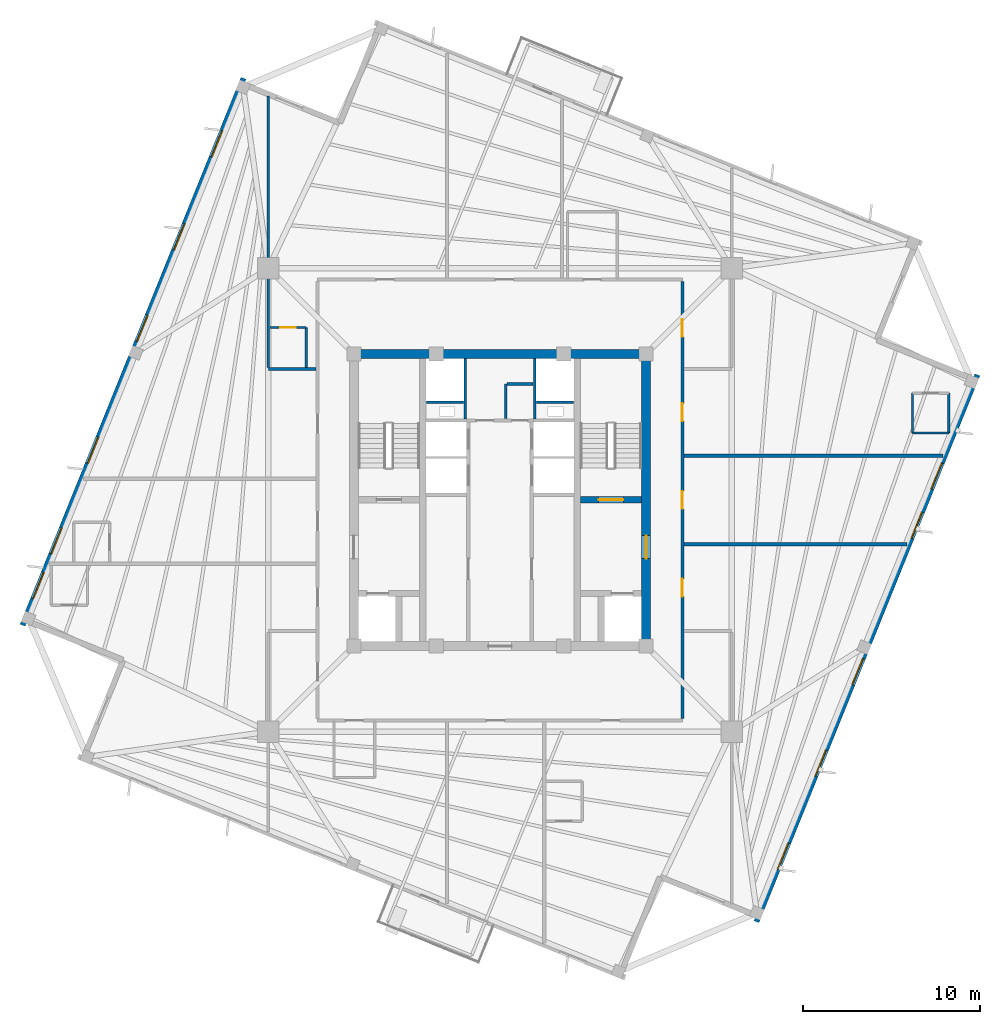
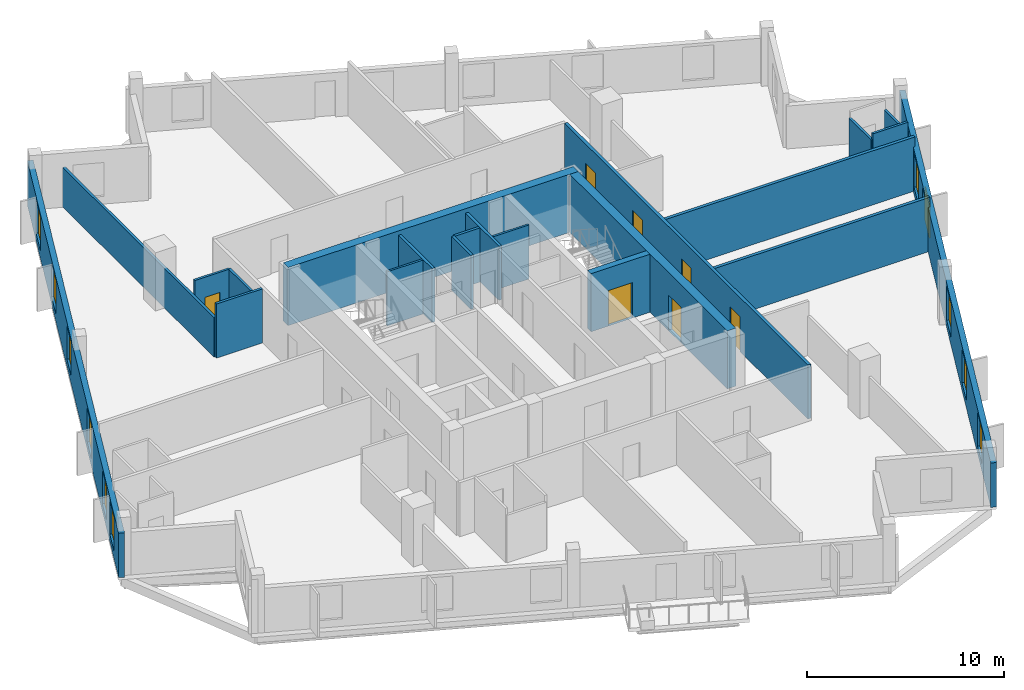
# One storey, part 4 of 8: 21 walls, 11 windows, 7 doors, 18 openings.
"""IFC4 building model written with IfcOpenShell, lengths in metres."""

from ifc_helpers import new_model, si_unit, direction, frame, frame_2d, origin, place, context, subcontext, project, spatial, rectangle, extrude, source, transform, mapped, material, layer, layer_set, type_object, element, fill, save


model = new_model("IFC4")

# Units and contexts
model_context = context("Model", 3, precision=1e-05, world=origin(), true_north=direction((0.0, 1.0)))
body_context = subcontext(model_context, "Body", "Model", "MODEL_VIEW")
ifc_project = project(units=[si_unit("LENGTHUNIT", "METRE"), si_unit("AREAUNIT", "SQUARE_METRE"), si_unit("VOLUMEUNIT", "CUBIC_METRE"), si_unit("PLANEANGLEUNIT", "RADIAN"), si_unit("MASSUNIT", "GRAM", prefix="KILO"), si_unit("THERMODYNAMICTEMPERATUREUNIT", "KELVIN")], contexts=[model_context])

# Site, building, storey
site_placement = place(None, origin())
site = spatial("IfcSite", under=ifc_project, at=site_placement, CompositionType="ELEMENT")
building_placement = place(site_placement, origin())
building = spatial("IfcBuilding", under=site, at=building_placement, Name="Kosmvard Interchange Tower", CompositionType="ELEMENT")
storey_placement = place(building_placement, frame((0.0, 0.0, 308.39990234375)))
storey = spatial("IfcBuildingStorey", under=building, at=storey_placement, Name="L76", CompositionType="ELEMENT", Elevation=308.39990234375)

# Walls
ifc_material_1 = material(Name="Acoustic gypsum partition system")
ifc_layer_1 = layer(ifc_material_1, 0.14990234375, Name="Acoustic gypsum partition system")
ifc_layer_set_1 = layer_set([ifc_layer_1], Name="Acoustic gypsum partition system")
wall_type_1 = type_object("IfcWallType", Name="Acoustic Suite & Meeting Partition 150", PredefinedType="PARTITIONING", material=ifc_layer_set_1)
wall_1_placement = place(storey_placement, frame((-10.39501953125, 7.39990234375, 0.0), z_axis=(0.0, 0.0, 1.0), x_axis=(-1.0, 0.0, 0.0)))
element("IfcWall", 1, at=wall_1_placement, inside=storey, type_object=wall_type_1, Name="L76 Room Partition 09.1", PredefinedType="PARTITIONING", context=body_context, shape_type="SweptSolid", body=[
    extrude(rectangle(XDim=2.68603515625, YDim=0.14990234375, at=frame_2d((1.343017578125, 0.0))), origin(), (0.0, 0.0, 1.0), 3.35009765625),
])
wall_2_placement = place(storey_placement, frame((-13.0810546875, 7.47509765625, 0.0), z_axis=(0.0, 0.0, 1.0), x_axis=(0.0, 1.0, 0.0)))
element("IfcWall", 2, at=wall_2_placement, inside=storey, type_object=wall_type_1, Name="L76 Room Partition 10.1", PredefinedType="PARTITIONING", context=body_context, shape_type="SweptSolid", body=[
    extrude(rectangle(XDim=15.341552734375, YDim=0.14990234375, at=frame_2d((7.6708984375, 0.0))), origin(), (0.0, 0.0, 1.0), 2.4501953125),
])
ifc_material_2 = material(Name="Fire-rated gypsum partition system")
ifc_layer_2 = layer(ifc_material_2, 0.159912109375, Name="Fire-rated gypsum partition system")
ifc_layer_set_2 = layer_set([ifc_layer_2], Name="Fire-rated gypsum partition system")
wall_type_2 = type_object("IfcWallType", Name="Core Compartment & Shuttle Lobby Partition 160", PredefinedType="PARTITIONING", material=ifc_layer_set_2)
for number, where, z_axis, x_axis, name in (
    (3, (-1.9599609375, 4.580078125, 0.0), (0.0, 0.0, 1.0), (0.0, 1.0, 0.0), "L76 North Core West Wall"),
    (4, (1.9599609375, 4.580078125, 0.0), (0.0, 0.0, 1.0), (0.0, 1.0, 0.0), "L76 North Core East Wall"),
):
    element("IfcWall", number, at=place(storey_placement, frame(where, z_axis=z_axis, x_axis=x_axis)), inside=storey, type_object=wall_type_2, Name=name, PredefinedType="PARTITIONING", context=body_context, shape_type="SweptSolid", body=[
        extrude(rectangle(XDim=3.39990234375, YDim=0.159912109375, at=frame_2d((1.699951171875, 0.0))), origin(), (0.0, 0.0, 1.0), 3.35009765625),
    ])
ifc_material_3 = material(Name="Concrete blockwork masonry", Category="masonry")
ifc_layer_3 = layer(ifc_material_3, 0.159912109375, Name="Concrete blockwork masonry")
ifc_layer_set_3 = layer_set([ifc_layer_3], Name="Concrete blockwork masonry")
wall_type_3 = type_object("IfcWallType", Name="Core Enclosure Split Wall 160", PredefinedType="PARTITIONING", material=ifc_layer_set_3)
wall_3_placement = place(storey_placement, frame((0.320068359375, 4.60009765625, 0.0), z_axis=(0.0, 0.0, 1.0), x_axis=(0.0, 1.0, 0.0)))
element("IfcWall", 5, at=wall_3_placement, inside=storey, type_object=wall_type_3, Name="L76 Core K3 L-Wall 1", PredefinedType="PARTITIONING", context=body_context, shape_type="SweptSolid", body=[
    extrude(rectangle(XDim=1.949951171875, YDim=0.159912109375, at=frame_2d((0.97509765625, 0.0))), origin(), (0.0, 0.0, 1.0), 3.35009765625),
])
wall_4_placement = place(storey_placement, frame((0.39990234375, 6.550048828125, 0.0), z_axis=(0.0, 0.0, 1.0), x_axis=(1.0, 0.0, 0.0)))
element("IfcWall", 6, at=wall_4_placement, inside=storey, type_object=wall_type_3, Name="L76 Core K3 L-Wall 2", PredefinedType="PARTITIONING", context=body_context, shape_type="SweptSolid", body=[
    extrude(rectangle(XDim=1.460205078125, YDim=0.159912109375, at=frame_2d((0.72998046875, 0.0))), origin(), (0.0, 0.0, 1.0), 3.35009765625),
])

# Wall, openings, doors
ifc_layer_4 = layer(ifc_material_2, 0.179931640625, Name="Fire-rated gypsum partition system")
ifc_layer_set_4 = layer_set([ifc_layer_4], Name="Fire-rated gypsum partition system")
wall_type_4 = type_object("IfcWallType", Name="Corridor & Hotel Compartment Partition 180", PredefinedType="PARTITIONING", material=ifc_layer_set_4)
wall_5_placement = place(storey_placement, frame((10.300048828125, -12.35009765625, 0.0), z_axis=(0.0, 0.0, 1.0), x_axis=(0.0, 1.0, 0.0)))
wall_5 = element("IfcWall", 7, at=wall_5_placement, inside=storey, type_object=wall_type_4, Name="L76 Corridor Wall CE", PredefinedType="PARTITIONING", context=body_context, shape_type="SweptSolid", body=[
    extrude(rectangle(XDim=24.7001953125, YDim=0.179931640625, at=frame_2d((12.35009765625, 0.0))), origin(), (0.0, 0.0, 1.0), 3.35009765625),
])
opening_1_placement = place(wall_5_placement, frame((21.560546875, 0.0, 0.0)))
opening_1 = element("IfcOpeningElement", 8, at=opening_1_placement, cuts=wall_5, Name="Opening L76-D07", PredefinedType="OPENING", context=body_context, shape_type="SweptSolid", body=[
    extrude(rectangle(XDim=1.0, YDim=2.14990234375, at=frame_2d((0.5, 1.074951171875))), frame((0.0, 0.10009765625, 0.0), z_axis=(0.0, -1.0, 0.0), x_axis=(1.0, 0.0, 0.0)), (0.0, 0.0, 1.0), 0.199951171875),
])
opening_2_placement = place(wall_5_placement, frame((16.800048828125, 0.0, 0.0)))
opening_2 = element("IfcOpeningElement", 9, at=opening_2_placement, cuts=wall_5, Name="Opening L76-D08", PredefinedType="OPENING", context=body_context, shape_type="SweptSolid", body=[
    extrude(rectangle(XDim=1.0, YDim=2.14990234375, at=frame_2d((0.5, 1.074951171875))), frame((0.0, 0.10009765625, 0.0), z_axis=(0.0, -1.0, 0.0), x_axis=(1.0, 0.0, 0.0)), (0.0, 0.0, 1.0), 0.199951171875),
])
opening_3_placement = place(wall_5_placement, frame((11.85009765625, 0.0, 0.0)))
opening_3 = element("IfcOpeningElement", 10, at=opening_3_placement, cuts=wall_5, Name="Opening L76-D10", PredefinedType="OPENING", context=body_context, shape_type="SweptSolid", body=[
    extrude(rectangle(XDim=1.0, YDim=2.14990234375, at=frame_2d((0.5, 1.074951171875))), frame((0.0, 0.10009765625, 0.0), z_axis=(0.0, -1.0, 0.0), x_axis=(1.0, 0.0, 0.0)), (0.0, 0.0, 1.0), 0.199951171875),
])
opening_4_placement = place(wall_5_placement, frame((6.89990234375, 0.0, 0.0)))
opening_4 = element("IfcOpeningElement", 11, at=opening_4_placement, cuts=wall_5, Name="Opening L76-D11", PredefinedType="OPENING", context=body_context, shape_type="SweptSolid", body=[
    extrude(rectangle(XDim=1.0, YDim=2.14990234375, at=frame_2d((0.5, 1.074951171875))), frame((0.0, 0.10009765625, 0.0), z_axis=(0.0, -1.0, 0.0), x_axis=(1.0, 0.0, 0.0)), (0.0, 0.0, 1.0), 0.199951171875),
])
ifc_material_4 = material(Name="Engineered oak fire-rated timber", Category="wood")
door_type_1 = type_object("IfcDoorType", Name="Hotel Guestroom Entrance Door 1000x2150 EI60", OperationType="NOTDEFINED", PredefinedType="DOOR", material=ifc_material_4)
shared_shape_1 = source(origin(), body_context, "Body", "SweptSolid", [
    extrude(rectangle(XDim=1.0, YDim=2.14990234375, at=frame_2d((0.5, 1.074951171875))), frame((0.0, 0.02490234375, 0.0), z_axis=(0.0, -1.0, 0.0), x_axis=(1.0, 0.0, 0.0)), (0.0, 0.0, 1.0), 0.050048828125),
])
door_1_placement = place(opening_1_placement, frame((1.0, 0.0, 0.0), z_axis=(0.0, 0.0, 1.0), x_axis=(-1.0, 0.0, 0.0)))
door_1 = element("IfcDoor", 12, at=door_1_placement, inside=storey, type_object=door_type_1, Name="L76 Hotel Sky Banquet Salon Door", OperationType="SINGLE_SWING_LEFT", OverallHeight=2.14990234375, OverallWidth=1.0, PredefinedType="DOOR", context=body_context, shape_type="MappedRepresentation", body=[
    mapped(shared_shape_1, transform((0.0, 0.0, 0.0), scale=1.0)),
])
fill(opening_1, door_1)
door_2_placement = place(opening_2_placement, frame((1.0, 0.0, 0.0), z_axis=(0.0, 0.0, 1.0), x_axis=(-1.0, 0.0, 0.0)))
door_2 = element("IfcDoor", 13, at=door_2_placement, inside=storey, type_object=door_type_1, Name="L76 Hotel Royal Suite 2 Door", OperationType="SINGLE_SWING_RIGHT", OverallHeight=2.14990234375, OverallWidth=1.0, PredefinedType="DOOR", context=body_context, shape_type="MappedRepresentation", body=[
    mapped(shared_shape_1, transform((0.0, 0.0, 0.0), scale=1.0)),
])
fill(opening_2, door_2)
door_3_placement = place(opening_3_placement, frame((1.0, 0.0, 0.0), z_axis=(0.0, 0.0, 1.0), x_axis=(-1.0, 0.0, 0.0)))
door_3 = element("IfcDoor", 14, at=door_3_placement, inside=storey, type_object=door_type_1, Name="L76 Hotel Private Dining Room 1 Door", OperationType="SINGLE_SWING_RIGHT", OverallHeight=2.14990234375, OverallWidth=1.0, PredefinedType="DOOR", context=body_context, shape_type="MappedRepresentation", body=[
    mapped(shared_shape_1, transform((0.0, 0.0, 0.0), scale=1.0)),
])
fill(opening_3, door_3)
door_4_placement = place(opening_4_placement, frame((1.0, 0.0, 0.0), z_axis=(0.0, 0.0, 1.0), x_axis=(-1.0, 0.0, 0.0)))
door_4 = element("IfcDoor", 15, at=door_4_placement, inside=storey, type_object=door_type_1, Name="L76 Hotel Tasting Salon 2 Door", OperationType="SINGLE_SWING_LEFT", OverallHeight=2.14990234375, OverallWidth=1.0, PredefinedType="DOOR", context=body_context, shape_type="MappedRepresentation", body=[
    mapped(shared_shape_1, transform((0.0, 0.0, 0.0), scale=1.0)),
])
fill(opening_4, door_4)

# Walls
wall_6_placement = place(storey_placement, frame((10.39501953125, 2.5, 0.0), z_axis=(0.0, 0.0, 1.0), x_axis=(1.0, 0.0, 0.0)))
element("IfcWall", 16, at=wall_6_placement, inside=storey, type_object=wall_type_4, Name="L76 Room Partition 03.1", PredefinedType="PARTITIONING", context=body_context, shape_type="SweptSolid", body=[
    extrude(rectangle(XDim=14.617919921875, YDim=0.179931640625, at=frame_2d((7.30908203125, 0.0))), origin(), (0.0, 0.0, 1.0), 3.35009765625),
])
wall_7_placement = place(storey_placement, frame((10.39501953125, -2.5, 0.0), z_axis=(0.0, 0.0, 1.0), x_axis=(1.0, 0.0, 0.0)))
element("IfcWall", 17, at=wall_7_placement, inside=storey, type_object=wall_type_4, Name="L76 Room Partition 04.1", PredefinedType="PARTITIONING", context=body_context, shape_type="SweptSolid", body=[
    extrude(rectangle(XDim=12.59765625, YDim=0.179931640625, at=frame_2d((6.298828125, 0.0))), origin(), (0.0, 0.0, 1.0), 3.35009765625),
])
ifc_material_5 = material(Name="Fire-rated gypsum shaftwall system")
ifc_layer_5 = layer(ifc_material_5, 0.1201171875, Name="Fire-rated gypsum shaftwall system")
ifc_layer_set_5 = layer_set([ifc_layer_5], Name="Fire-rated gypsum shaftwall system")
wall_type_5 = type_object("IfcWallType", Name="Shaft & Riser Fire Partition 120 EI60", PredefinedType="PARTITIONING", material=ifc_layer_set_5)
for number, where, z_axis, x_axis, name in (
    (18, (-4.159912109375, 5.52001953125, 0.0), (0.0, 0.0, 1.0), (1.0, 0.0, 0.0), "L76 Riser Shaft Divider W"),
    (19, (2.06005859375, 5.52001953125, 0.0), (0.0, 0.0, 1.0), (1.0, 0.0, 0.0), "L76 Riser Shaft Divider E"),
):
    element("IfcWall", number, at=place(storey_placement, frame(where, z_axis=z_axis, x_axis=x_axis)), inside=storey, type_object=wall_type_5, Name=name, PredefinedType="PARTITIONING", context=body_context, shape_type="SweptSolid", body=[
        extrude(rectangle(XDim=2.099853515625, YDim=0.1201171875, at=frame_2d((1.0498046875, 0.0))), origin(), (0.0, 0.0, 1.0), 3.35009765625),
    ])

# Wall, opening, door
ifc_material_6 = material(Name="Concrete C60/75", Category="concrete")
ifc_layer_6 = layer(ifc_material_6, 0.360107421875, Name="Concrete C60/75")
ifc_layer_set_6 = layer_set([ifc_layer_6], Name="Concrete C60/75")
wall_type_6 = type_object("IfcWallType", Name="Stair & Lift Shaft Shear Wall 360 C60/75", PredefinedType="SHEAR", material=ifc_layer_set_6)
wall_8_placement = place(storey_placement, frame((4.5400390625, 0.02001953125, 0.0), z_axis=(0.0, 0.0, 1.0), x_axis=(1.0, 0.0, 0.0)))
wall_8 = element("IfcWall", 20, at=wall_8_placement, inside=storey, type_object=wall_type_6, Name="L76 Shaft Shear Wall SW-ST2", PredefinedType="SHEAR", context=body_context, shape_type="SweptSolid", body=[
    extrude(rectangle(XDim=3.4599609375, YDim=0.360107421875, at=frame_2d((1.72998046875, 0.0))), origin(), (0.0, 0.0, 1.0), 3.60009765625),
])
opening_5_placement = place(wall_8_placement, frame((1.030029296875, 0.0, 0.0)))
opening_5 = element("IfcOpeningElement", 21, at=opening_5_placement, cuts=wall_8, Name="Opening L76-SD2", PredefinedType="OPENING", context=body_context, shape_type="SweptSolid", body=[
    extrude(rectangle(XDim=1.39990234375, YDim=2.199951171875, at=frame_2d((0.699951171875, 1.10009765625))), frame((0.0, 0.18994140625, 0.0), z_axis=(0.0, -1.0, 0.0), x_axis=(1.0, 0.0, 0.0)), (0.0, 0.0, 1.0), 0.380126953125),
])
ifc_material_7 = material(Name="Painted fire-rated steel leaf", Category="steel")
door_type_2 = type_object("IfcDoorType", Name="Protected Stair Door 1400x2200 FD60S", OperationType="NOTDEFINED", PredefinedType="DOOR", material=ifc_material_7)
shared_shape_2 = source(origin(), body_context, "Body", "SweptSolid", [
    extrude(rectangle(XDim=1.39990234375, YDim=2.199951171875, at=frame_2d((0.699951171875, 1.10009765625))), frame((0.0, 0.02490234375, 0.0), z_axis=(0.0, -1.0, 0.0), x_axis=(1.0, 0.0, 0.0)), (0.0, 0.0, 1.0), 0.050048828125),
])
door_5_placement = place(opening_5_placement, origin())
door_5 = element("IfcDoor", 22, at=door_5_placement, inside=storey, type_object=door_type_2, Name="L76 Stair ST-2 Enclosure Door", OperationType="SINGLE_SWING_RIGHT", OverallHeight=2.199951171875, OverallWidth=1.39990234375, PredefinedType="DOOR", context=body_context, shape_type="MappedRepresentation", body=[
    mapped(shared_shape_2, transform((0.0, 0.0, 0.0), scale=1.0)),
])
fill(opening_5, door_5)

# Wall
ifc_layer_7 = layer(ifc_material_6, 0.5, Name="Concrete C60/75")
ifc_layer_set_7 = layer_set([ifc_layer_7], Name="Concrete C60/75")
wall_type_7 = type_object("IfcWallType", Name="Upper Core Shear Wall 500 C60/75", PredefinedType="SHEAR", material=ifc_layer_set_7)
wall_9_placement = place(storey_placement, frame((-8.5, 8.25, 0.0), z_axis=(0.0, 0.0, 1.0), x_axis=(1.0, 0.0, 0.0)))
element("IfcWall", 23, at=wall_9_placement, inside=storey, type_object=wall_type_7, Name="L76 Core Shear Wall CW-N", PredefinedType="SHEAR", context=body_context, shape_type="SweptSolid", body=[
    extrude(rectangle(XDim=17.0, YDim=0.5, at=frame_2d((8.5, 0.0))), origin(), (0.0, 0.0, 1.0), 3.60009765625),
])

# Wall, opening, door
wall_10_placement = place(storey_placement, frame((8.25, -8.0, 0.0), z_axis=(0.0, 0.0, 1.0), x_axis=(0.0, 1.0, 0.0)))
wall_10 = element("IfcWall", 24, at=wall_10_placement, inside=storey, type_object=wall_type_7, Name="L76 Core Shear Wall CW-E", PredefinedType="SHEAR", context=body_context, shape_type="SweptSolid", body=[
    extrude(rectangle(XDim=16.0, YDim=0.5, at=frame_2d((8.0, 0.0))), origin(), (0.0, 0.0, 1.0), 3.60009765625),
])
opening_6_placement = place(wall_10_placement, frame((4.68994140625, 0.0, 0.0)))
opening_6 = element("IfcOpeningElement", 25, at=opening_6_placement, cuts=wall_10, Name="Opening L76-FD2", PredefinedType="OPENING", context=body_context, shape_type="SweptSolid", body=[
    extrude(rectangle(XDim=1.300048828125, YDim=2.199951171875, at=frame_2d((0.64990234375, 1.10009765625))), frame((0.0, 0.260009765625, 0.0), z_axis=(0.0, -1.0, 0.0), x_axis=(1.0, 0.0, 0.0)), (0.0, 0.0, 1.0), 0.52001953125),
])
door_type_3 = type_object("IfcDoorType", Name="Firefighting Lobby Door 1300x2200 EI60", OperationType="NOTDEFINED", PredefinedType="DOOR", material=ifc_material_7)
shared_shape_3 = source(origin(), body_context, "Body", "SweptSolid", [
    extrude(rectangle(XDim=1.300048828125, YDim=2.199951171875, at=frame_2d((0.64990234375, 1.10009765625))), frame((0.0, 0.02490234375, 0.0), z_axis=(0.0, -1.0, 0.0), x_axis=(1.0, 0.0, 0.0)), (0.0, 0.0, 1.0), 0.050048828125),
])
door_6_placement = place(opening_6_placement, origin())
door_6 = element("IfcDoor", 26, at=door_6_placement, inside=storey, type_object=door_type_3, Name="L76 Firefighting Lobby East Door", OperationType="SINGLE_SWING_RIGHT", OverallHeight=2.199951171875, OverallWidth=1.300048828125, PredefinedType="DOOR", context=body_context, shape_type="MappedRepresentation", body=[
    mapped(shared_shape_3, transform((0.0, 0.0, 0.0), scale=1.0)),
])
fill(opening_6, door_6)

# Wall, openings, windows
ifc_material_8 = material(Name="Precast concrete C45/55", Category="concrete")
ifc_layer_8 = layer(ifc_material_8, 0.31005859375, Name="Precast concrete C45/55")
ifc_layer_set_8 = layer_set([ifc_layer_8], Name="Precast concrete C45/55")
wall_type_8 = type_object("IfcWallType", Name="Upper Tower Precast Pier Wall 310 C45/55", PredefinedType="STANDARD", material=ifc_layer_set_8)
wall_11_placement = place(storey_placement, frame((14.478759765625, -23.812744140625, 0.0), z_axis=(0.0, 0.0, 1.0), x_axis=(0.374609557019, 0.927182657188, 0.0)))
wall_11 = element("IfcWall", 27, at=wall_11_placement, inside=storey, type_object=wall_type_8, Name="L76 Precast Facade Wall F-S", PredefinedType="STANDARD", context=body_context, shape_type="SweptSolid", body=[
    extrude(rectangle(XDim=33.31005859375, YDim=0.31005859375, at=frame_2d((16.655029296875, 0.0))), origin(), (0.0, 0.0, 1.0), 2.75),
])
opening_7_placement = place(wall_11_placement, frame((3.197265625, 0.0, 0.469970703125)))
opening_7 = element("IfcOpeningElement", 28, at=opening_7_placement, cuts=wall_11, Name="Opening L76-W01", PredefinedType="OPENING", context=body_context, shape_type="SweptSolid", body=[
    extrude(rectangle(XDim=1.60009765625, YDim=2.10009765625, at=frame_2d((0.800048828125, 1.050048828125))), frame((0.0, 0.1650390625, 0.0), z_axis=(0.0, -1.0, 0.0), x_axis=(1.0, 0.0, 0.0)), (0.0, 0.0, 1.0), 0.330078125),
])
opening_8_placement = place(wall_11_placement, frame((8.85986328125, 0.0, 0.469970703125)))
opening_8 = element("IfcOpeningElement", 29, at=opening_8_placement, cuts=wall_11, Name="Opening L76-W02", PredefinedType="OPENING", context=body_context, shape_type="SweptSolid", body=[
    extrude(rectangle(XDim=1.60009765625, YDim=2.10009765625, at=frame_2d((0.800048828125, 1.050048828125))), frame((0.0, 0.1650390625, 0.0), z_axis=(0.0, -1.0, 0.0), x_axis=(1.0, 0.0, 0.0)), (0.0, 0.0, 1.0), 0.330078125),
])
opening_9_placement = place(wall_11_placement, frame((14.438720703125, 0.0, 0.469970703125)))
opening_9 = element("IfcOpeningElement", 30, at=opening_9_placement, cuts=wall_11, Name="Opening L76-W03", PredefinedType="OPENING", context=body_context, shape_type="SweptSolid", body=[
    extrude(rectangle(XDim=1.60009765625, YDim=2.10009765625, at=frame_2d((0.800048828125, 1.050048828125))), frame((0.0, 0.1650390625, 0.0), z_axis=(0.0, -1.0, 0.0), x_axis=(1.0, 0.0, 0.0)), (0.0, 0.0, 1.0), 0.330078125),
])
opening_10_placement = place(wall_11_placement, frame((23.350830078125, 0.0, 0.469970703125)))
opening_10 = element("IfcOpeningElement", 31, at=opening_10_placement, cuts=wall_11, Name="Opening L76-W04", PredefinedType="OPENING", context=body_context, shape_type="SweptSolid", body=[
    extrude(rectangle(XDim=1.60009765625, YDim=2.10009765625, at=frame_2d((0.800048828125, 1.050048828125))), frame((0.0, 0.1650390625, 0.0), z_axis=(0.0, -1.0, 0.0), x_axis=(1.0, 0.0, 0.0)), (0.0, 0.0, 1.0), 0.330078125),
])
opening_11_placement = place(wall_11_placement, frame((26.3466796875, 0.0, 0.469970703125)))
opening_11 = element("IfcOpeningElement", 32, at=opening_11_placement, cuts=wall_11, Name="Opening L76-W05", PredefinedType="OPENING", context=body_context, shape_type="SweptSolid", body=[
    extrude(rectangle(XDim=1.60009765625, YDim=2.10009765625, at=frame_2d((0.800048828125, 1.050048828125))), frame((0.0, 0.1650390625, 0.0), z_axis=(0.0, -1.0, 0.0), x_axis=(1.0, 0.0, 0.0)), (0.0, 0.0, 1.0), 0.330078125),
])
ifc_material_9 = material(Name="Low-E acoustic double glazing", Category="glass")
window_type = type_object("IfcWindowType", Name="Zone 5 Hotel Punched Window 1600x2100", PartitioningType="SINGLE_PANEL", PredefinedType="WINDOW", material=ifc_material_9)
shared_shape_4 = source(origin(), body_context, "Body", "SweptSolid", [
    extrude(rectangle(XDim=1.60009765625, YDim=2.10009765625, at=frame_2d((0.800048828125, 1.050048828125))), frame((0.0, 0.030029296875, 0.0), z_axis=(0.0, -1.0, 0.0), x_axis=(1.0, 0.0, 0.0)), (0.0, 0.0, 1.0), 0.06005859375),
])
window_1_placement = place(opening_7_placement, origin())
window_1 = element("IfcWindow", 33, at=window_1_placement, inside=storey, type_object=window_type, Name="L76 Facade Punched Window 01", OverallHeight=2.10009765625, OverallWidth=1.60009765625, PartitioningType="SINGLE_PANEL", PredefinedType="WINDOW", context=body_context, shape_type="MappedRepresentation", body=[
    mapped(shared_shape_4, transform((0.0, 0.0, 0.0), scale=1.0)),
])
fill(opening_7, window_1)
window_2_placement = place(opening_8_placement, origin())
window_2 = element("IfcWindow", 34, at=window_2_placement, inside=storey, type_object=window_type, Name="L76 Facade Punched Window 02", OverallHeight=2.10009765625, OverallWidth=1.60009765625, PartitioningType="SINGLE_PANEL", PredefinedType="WINDOW", context=body_context, shape_type="MappedRepresentation", body=[
    mapped(shared_shape_4, transform((0.0, 0.0, 0.0), scale=1.0)),
])
fill(opening_8, window_2)
window_3_placement = place(opening_9_placement, origin())
window_3 = element("IfcWindow", 35, at=window_3_placement, inside=storey, type_object=window_type, Name="L76 Facade Punched Window 03", OverallHeight=2.10009765625, OverallWidth=1.60009765625, PartitioningType="SINGLE_PANEL", PredefinedType="WINDOW", context=body_context, shape_type="MappedRepresentation", body=[
    mapped(shared_shape_4, transform((0.0, 0.0, 0.0), scale=1.0)),
])
fill(opening_9, window_3)
window_4_placement = place(opening_10_placement, origin())
window_4 = element("IfcWindow", 36, at=window_4_placement, inside=storey, type_object=window_type, Name="L76 Facade Punched Window 04", OverallHeight=2.10009765625, OverallWidth=1.60009765625, PartitioningType="SINGLE_PANEL", PredefinedType="WINDOW", context=body_context, shape_type="MappedRepresentation", body=[
    mapped(shared_shape_4, transform((0.0, 0.0, 0.0), scale=1.0)),
])
fill(opening_10, window_4)
window_5_placement = place(opening_11_placement, origin())
window_5 = element("IfcWindow", 37, at=window_5_placement, inside=storey, type_object=window_type, Name="L76 Facade Punched Window 05", OverallHeight=2.10009765625, OverallWidth=1.60009765625, PartitioningType="SINGLE_PANEL", PredefinedType="WINDOW", context=body_context, shape_type="MappedRepresentation", body=[
    mapped(shared_shape_4, transform((0.0, 0.0, 0.0), scale=1.0)),
])
fill(opening_11, window_5)

wall_12_placement = place(storey_placement, frame((-14.478759765625, 23.812744140625, 0.0), z_axis=(0.0, 0.0, 1.0), x_axis=(-0.374609557019, -0.927182657188, 0.0)))
wall_12 = element("IfcWall", 38, at=wall_12_placement, inside=storey, type_object=wall_type_8, Name="L76 Precast Facade Wall F-N", PredefinedType="STANDARD", context=body_context, shape_type="SweptSolid", body=[
    extrude(rectangle(XDim=33.31005859375, YDim=0.31005859375, at=frame_2d((16.655029296875, 0.0))), origin(), (0.0, 0.0, 1.0), 2.75),
])
opening_12_placement = place(wall_12_placement, frame((3.197265625, 0.0, 0.469970703125)))
opening_12 = element("IfcOpeningElement", 39, at=opening_12_placement, cuts=wall_12, Name="Opening L76-W11", PredefinedType="OPENING", context=body_context, shape_type="SweptSolid", body=[
    extrude(rectangle(XDim=1.60009765625, YDim=2.10009765625, at=frame_2d((0.800048828125, 1.050048828125))), frame((0.0, 0.1650390625, 0.0), z_axis=(0.0, -1.0, 0.0), x_axis=(1.0, 0.0, 0.0)), (0.0, 0.0, 1.0), 0.330078125),
])
opening_13_placement = place(wall_12_placement, frame((8.85986328125, 0.0, 0.469970703125)))
opening_13 = element("IfcOpeningElement", 40, at=opening_13_placement, cuts=wall_12, Name="Opening L76-W12", PredefinedType="OPENING", context=body_context, shape_type="SweptSolid", body=[
    extrude(rectangle(XDim=1.60009765625, YDim=2.10009765625, at=frame_2d((0.800048828125, 1.050048828125))), frame((0.0, 0.1650390625, 0.0), z_axis=(0.0, -1.0, 0.0), x_axis=(1.0, 0.0, 0.0)), (0.0, 0.0, 1.0), 0.330078125),
])
opening_14_placement = place(wall_12_placement, frame((14.438720703125, 0.0, 0.469970703125)))
opening_14 = element("IfcOpeningElement", 41, at=opening_14_placement, cuts=wall_12, Name="Opening L76-W13", PredefinedType="OPENING", context=body_context, shape_type="SweptSolid", body=[
    extrude(rectangle(XDim=1.60009765625, YDim=2.10009765625, at=frame_2d((0.800048828125, 1.050048828125))), frame((0.0, 0.1650390625, 0.0), z_axis=(0.0, -1.0, 0.0), x_axis=(1.0, 0.0, 0.0)), (0.0, 0.0, 1.0), 0.330078125),
])
opening_15_placement = place(wall_12_placement, frame((21.850830078125, 0.0, 0.469970703125)))
opening_15 = element("IfcOpeningElement", 42, at=opening_15_placement, cuts=wall_12, Name="Opening L76-W14", PredefinedType="OPENING", context=body_context, shape_type="SweptSolid", body=[
    extrude(rectangle(XDim=1.60009765625, YDim=2.10009765625, at=frame_2d((0.800048828125, 1.050048828125))), frame((0.0, 0.1650390625, 0.0), z_axis=(0.0, -1.0, 0.0), x_axis=(1.0, 0.0, 0.0)), (0.0, 0.0, 1.0), 0.330078125),
])
opening_16_placement = place(wall_12_placement, frame((30.0966796875, 0.0, 0.469970703125)))
opening_16 = element("IfcOpeningElement", 43, at=opening_16_placement, cuts=wall_12, Name="Opening L76-W15", PredefinedType="OPENING", context=body_context, shape_type="SweptSolid", body=[
    extrude(rectangle(XDim=1.60009765625, YDim=2.10009765625, at=frame_2d((0.800048828125, 1.050048828125))), frame((0.0, 0.1650390625, 0.0), z_axis=(0.0, -1.0, 0.0), x_axis=(1.0, 0.0, 0.0)), (0.0, 0.0, 1.0), 0.330078125),
])
opening_17_placement = place(wall_12_placement, frame((27.374267578125, 0.0, 0.469970703125)))
opening_17 = element("IfcOpeningElement", 44, at=opening_17_placement, cuts=wall_12, Name="Opening L76-DW25", PredefinedType="OPENING", context=body_context, shape_type="SweptSolid", body=[
    extrude(rectangle(XDim=1.60009765625, YDim=2.10009765625, at=frame_2d((0.800048828125, 1.050048828125))), frame((0.0, 0.1650390625, 0.0), z_axis=(0.0, -1.0, 0.0), x_axis=(1.0, 0.0, 0.0)), (0.0, 0.0, 1.0), 0.330078125),
])
window_6_placement = place(opening_12_placement, origin())
window_6 = element("IfcWindow", 45, at=window_6_placement, inside=storey, type_object=window_type, Name="L76 Facade Punched Window 11", OverallHeight=2.10009765625, OverallWidth=1.60009765625, PartitioningType="SINGLE_PANEL", PredefinedType="WINDOW", context=body_context, shape_type="MappedRepresentation", body=[
    mapped(shared_shape_4, transform((0.0, 0.0, 0.0), scale=1.0)),
])
fill(opening_12, window_6)
window_7_placement = place(opening_13_placement, origin())
window_7 = element("IfcWindow", 46, at=window_7_placement, inside=storey, type_object=window_type, Name="L76 Facade Punched Window 12", OverallHeight=2.10009765625, OverallWidth=1.60009765625, PartitioningType="SINGLE_PANEL", PredefinedType="WINDOW", context=body_context, shape_type="MappedRepresentation", body=[
    mapped(shared_shape_4, transform((0.0, 0.0, 0.0), scale=1.0)),
])
fill(opening_13, window_7)
window_8_placement = place(opening_14_placement, origin())
window_8 = element("IfcWindow", 47, at=window_8_placement, inside=storey, type_object=window_type, Name="L76 Facade Punched Window 13", OverallHeight=2.10009765625, OverallWidth=1.60009765625, PartitioningType="SINGLE_PANEL", PredefinedType="WINDOW", context=body_context, shape_type="MappedRepresentation", body=[
    mapped(shared_shape_4, transform((0.0, 0.0, 0.0), scale=1.0)),
])
fill(opening_14, window_8)
window_9_placement = place(opening_15_placement, origin())
window_9 = element("IfcWindow", 48, at=window_9_placement, inside=storey, type_object=window_type, Name="L76 Facade Punched Window 14", OverallHeight=2.10009765625, OverallWidth=1.60009765625, PartitioningType="SINGLE_PANEL", PredefinedType="WINDOW", context=body_context, shape_type="MappedRepresentation", body=[
    mapped(shared_shape_4, transform((0.0, 0.0, 0.0), scale=1.0)),
])
fill(opening_15, window_9)
window_10_placement = place(opening_16_placement, origin())
window_10 = element("IfcWindow", 49, at=window_10_placement, inside=storey, type_object=window_type, Name="L76 Facade Punched Window 15", OverallHeight=2.10009765625, OverallWidth=1.60009765625, PartitioningType="SINGLE_PANEL", PredefinedType="WINDOW", context=body_context, shape_type="MappedRepresentation", body=[
    mapped(shared_shape_4, transform((0.0, 0.0, 0.0), scale=1.0)),
])
fill(opening_16, window_10)
window_11_placement = place(opening_17_placement, origin())
window_11 = element("IfcWindow", 50, at=window_11_placement, inside=storey, type_object=window_type, Name="L76 Guest Room Punched Window 25", OverallHeight=2.10009765625, OverallWidth=1.60009765625, PartitioningType="SINGLE_PANEL", PredefinedType="WINDOW", context=body_context, shape_type="MappedRepresentation", body=[
    mapped(shared_shape_4, transform((0.0, 0.0, 0.0), scale=1.0)),
])
fill(opening_17, window_11)

# Wall
ifc_material_10 = material(Name="Moisture-resistant gypsum partition")
ifc_layer_9 = layer(ifc_material_10, 0.135009765625, Name="Moisture-resistant gypsum partition")
ifc_layer_set_9 = layer_set([ifc_layer_9], Name="Moisture-resistant gypsum partition")
wall_type_9 = type_object("IfcWallType", Name="Wet Room Moisture-Resistant Partition 135", PredefinedType="PARTITIONING", material=ifc_layer_set_9)
wall_13_placement = place(storey_placement, frame((-10.94091796875, 7.489990234375, 0.0), z_axis=(0.0, 0.0, 1.0), x_axis=(0.0, 1.0, 0.0)))
element("IfcWall", 51, at=wall_13_placement, inside=storey, type_object=wall_type_9, Name="L76 En-Suite Partition HPR1-E", PredefinedType="PARTITIONING", context=body_context, shape_type="SweptSolid", body=[
    extrude(rectangle(XDim=2.25, YDim=0.135009765625, at=frame_2d((1.125, 0.0))), origin(), (0.0, 0.0, 1.0), 3.35009765625),
])

# Wall, opening, door
wall_14_placement = place(storey_placement, frame((-12.990966796875, 9.739990234375, 0.0), z_axis=(0.0, 0.0, 1.0), x_axis=(1.0, 0.0, 0.0)))
wall_14 = element("IfcWall", 52, at=wall_14_placement, inside=storey, type_object=wall_type_9, Name="L76 En-Suite Partition HPR1-N", PredefinedType="PARTITIONING", context=body_context, shape_type="SweptSolid", body=[
    extrude(rectangle(XDim=2.050048828125, YDim=0.135009765625, at=frame_2d((1.02490234375, 0.0))), origin(), (0.0, 0.0, 1.0), 3.35009765625),
])
opening_18_placement = place(wall_14_placement, frame((0.5849609375, 0.0, 0.0)))
opening_18 = element("IfcOpeningElement", 53, at=opening_18_placement, cuts=wall_14, Name="Opening L76-ED05", PredefinedType="OPENING", context=body_context, shape_type="SweptSolid", body=[
    extrude(rectangle(XDim=0.8798828125, YDim=2.10009765625, at=frame_2d((0.43994140625, 1.050048828125))), frame((0.0, 0.07763671875, 0.0), z_axis=(0.0, -1.0, 0.0), x_axis=(1.0, 0.0, 0.0)), (0.0, 0.0, 1.0), 0.155029296875),
])
ifc_material_11 = material(Name="Laminated moisture-resistant timber", Category="wood")
door_type_4 = type_object("IfcDoorType", Name="En-Suite & Washroom Door 880x2100", OperationType="NOTDEFINED", PredefinedType="DOOR", material=ifc_material_11)
shared_shape_5 = source(origin(), body_context, "Body", "SweptSolid", [
    extrude(rectangle(XDim=0.8798828125, YDim=2.10009765625, at=frame_2d((0.43994140625, 1.050048828125))), frame((0.0, 0.02490234375, 0.0), z_axis=(0.0, -1.0, 0.0), x_axis=(1.0, 0.0, 0.0)), (0.0, 0.0, 1.0), 0.050048828125),
])
door_7_placement = place(opening_18_placement, frame((0.8798828125, 0.0, 0.0), z_axis=(0.0, 0.0, 1.0), x_axis=(-1.0, 0.0, 0.0)))
door_7 = element("IfcDoor", 54, at=door_7_placement, inside=storey, type_object=door_type_4, Name="L76 HPR1 En-Suite Door", OperationType="SINGLE_SWING_RIGHT", OverallHeight=2.10009765625, OverallWidth=0.8798828125, PredefinedType="DOOR", context=body_context, shape_type="MappedRepresentation", body=[
    mapped(shared_shape_5, transform((0.0, 0.0, 0.0), scale=1.0)),
])
fill(opening_18, door_7)

# Walls
wall_15_placement = place(storey_placement, frame((23.29150390625, 3.780029296875, 0.0), z_axis=(0.0, 0.0, 1.0), x_axis=(1.0, 0.0, 0.0)))
element("IfcWall", 55, at=wall_15_placement, inside=storey, type_object=wall_type_9, Name="L76 En-Suite Partition HPR2-S", PredefinedType="PARTITIONING", context=body_context, shape_type="SweptSolid", body=[
    extrude(rectangle(XDim=2.050048828125, YDim=0.135009765625, at=frame_2d((1.02490234375, 0.0))), origin(), (0.0, 0.0, 1.0), 3.35009765625),
])
wall_16_placement = place(storey_placement, frame((25.341552734375, 3.780029296875, 0.0), z_axis=(0.0, 0.0, 1.0), x_axis=(0.0, 1.0, 0.0)))
element("IfcWall", 56, at=wall_16_placement, inside=storey, type_object=wall_type_9, Name="L76 En-Suite Partition HPR2-E", PredefinedType="PARTITIONING", context=body_context, shape_type="SweptSolid", body=[
    extrude(rectangle(XDim=2.25, YDim=0.135009765625, at=frame_2d((1.125, 0.0))), origin(), (0.0, 0.0, 1.0), 2.75),
])
wall_17_placement = place(storey_placement, frame((23.29150390625, 3.780029296875, 0.0), z_axis=(0.0, 0.0, 1.0), x_axis=(0.0, 1.0, 0.0)))
element("IfcWall", 57, at=wall_17_placement, inside=storey, type_object=wall_type_9, Name="L76 En-Suite Partition HPR2-W", PredefinedType="PARTITIONING", context=body_context, shape_type="SweptSolid", body=[
    extrude(rectangle(XDim=2.25, YDim=0.135009765625, at=frame_2d((1.125, 0.0))), origin(), (0.0, 0.0, 1.0), 2.9501953125),
])

save(model, "model.ifc")
